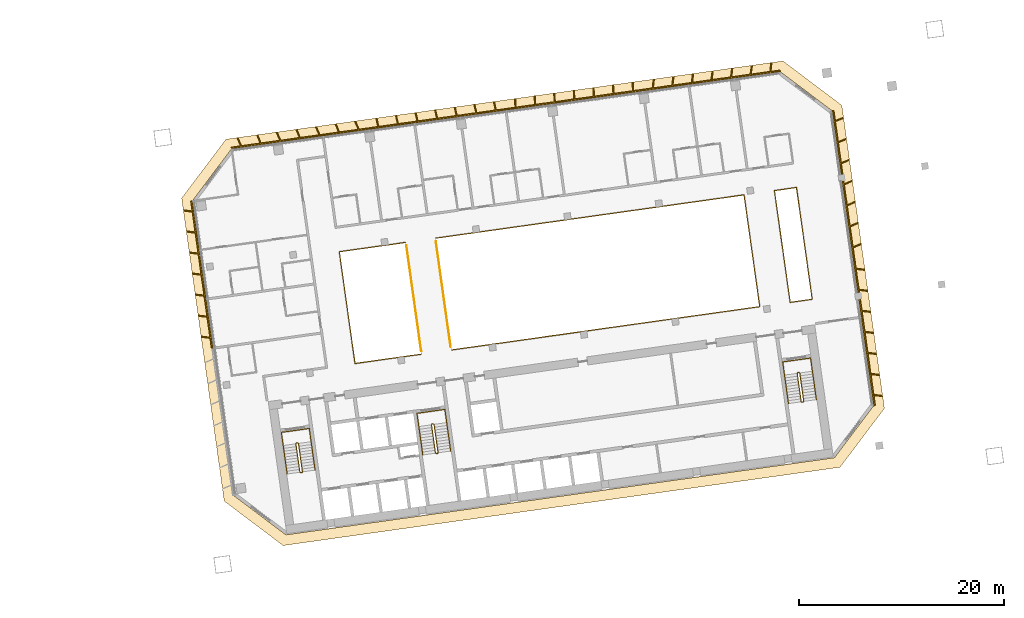
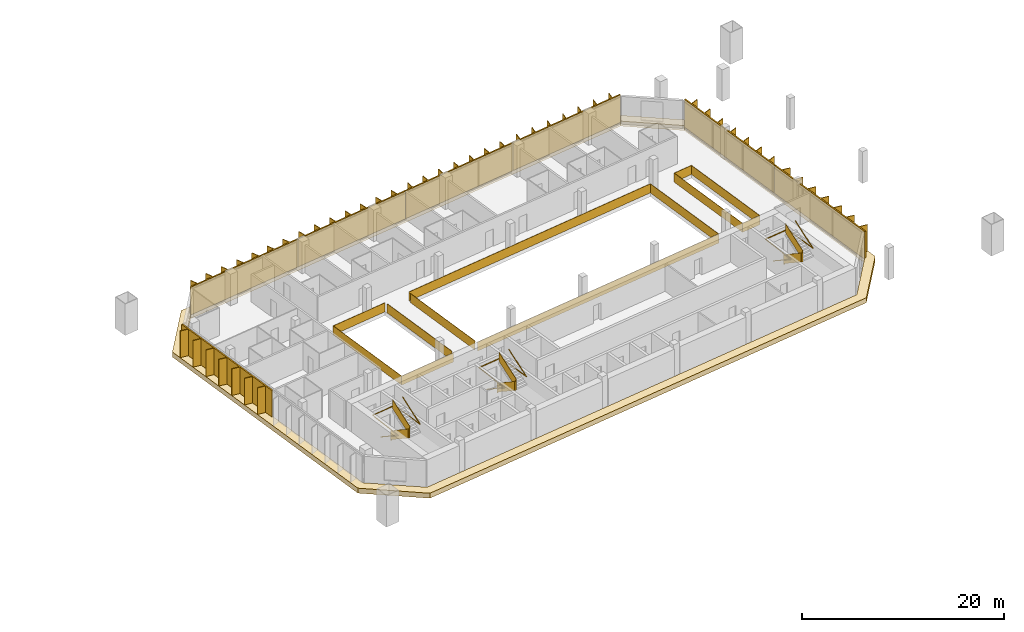
# One storey, part 26 of 26: 11 railings, 7 shading devices, 1 covering.
"""IFC4 building model written with IfcOpenShell, lengths in metres."""

import ifcopenshell
import ifcopenshell.guid

model = None  # the IFC model being written
_history = None  # IfcOwnerHistory: only IFC2X3 demands one
_inside = {}  # id of a spatial element -> (the spatial element, [elements in it])
_under = {}  # id of a project, library or spatial element -> (it, [spatial elements below it])
_declared = {}  # id of a project -> (the project, [libraries it declares])
_typed = {}  # id of a type object -> (the type object, [elements of that type])
_made_of = {}  # id of a material, layer set ... -> (it, [elements and type objects made of it])


def new_model(schema):
    """Start an empty IFC model of exactly this schema.

    Asked for "IFC4X3", IfcOpenShell would pick the latest addendum, in which some entities
    have other attributes; the version numbers below select the first issue.
    IFC2X3 requires an IfcOwnerHistory on every rooted entity: one is made here for all.
    """
    global model, _history
    if schema == "IFC4X3":
        model = ifcopenshell.file(schema_version=(4, 3, 0, 0))
    else:
        model = ifcopenshell.file(schema=schema)
    _inside.clear()
    _under.clear()
    _declared.clear()
    _typed.clear()
    _made_of.clear()
    _history = None
    if model.schema == "IFC2X3":
        org = make("IfcOrganization", Name="unknown")
        user = make(
            "IfcPersonAndOrganization",
            ThePerson=make("IfcPerson", FamilyName="unknown"),
            TheOrganization=org,
        )
        app = make(
            "IfcApplication",
            ApplicationDeveloper=org,
            Version="unknown",
            ApplicationFullName="unknown",
            ApplicationIdentifier="unknown",
        )
        _history = make(
            "IfcOwnerHistory",
            OwningUser=user,
            OwningApplication=app,
            ChangeAction="ADDED",
            CreationDate=0,
        )
    return model


def make(cls, **values):
    """One entity of the class cls with the attributes given. An attribute that is None is left unset."""
    return model.create_entity(
        cls, **{name: value for name, value in values.items() if value is not None}
    )


def rooted(cls, **values):
    """An entity with a GlobalId (a new one), such as an element, a storey or a relation."""
    return make(cls, GlobalId=ifcopenshell.guid.new(), OwnerHistory=_history, **values)


def si_unit(unit_type, name, prefix=None):
    """IfcSIUnit, for example si_unit("LENGTHUNIT", "METRE", prefix="MILLI")."""
    return make("IfcSIUnit", UnitType=unit_type, Prefix=prefix, Name=name)


def assignment(units):
    """IfcUnitAssignment: the units of a project."""
    return None if units is None else make("IfcUnitAssignment", Units=units)


def point(xyz):
    """IfcCartesianPoint."""
    return None if xyz is None else make("IfcCartesianPoint", Coordinates=xyz)


def direction(xyz):
    """IfcDirection."""
    return None if xyz is None else make("IfcDirection", DirectionRatios=xyz)


def frame(location, z_axis=None, x_axis=None):
    """IfcAxis2Placement3D, a coordinate frame: its origin and axes. An axis left out is left unset."""
    return make(
        "IfcAxis2Placement3D",
        Location=point(location),
        Axis=direction(z_axis),
        RefDirection=direction(x_axis),
    )


def frame_2d(location, x_axis=None):
    """IfcAxis2Placement2D, a coordinate frame in the plane: its origin and x axis."""
    return make(
        "IfcAxis2Placement2D", Location=point(location), RefDirection=direction(x_axis)
    )


def origin():
    """The frame at (0, 0, 0) with its axes left unset."""
    return frame((0.0, 0.0, 0.0))


def origin_2d():
    """The frame at (0, 0) in the plane with its x axis left unset."""
    return frame_2d((0.0, 0.0))


def place(relative_to, where):
    """IfcLocalPlacement: puts the frame where relative to a parent placement (None: the world)."""
    return make(
        "IfcLocalPlacement", PlacementRelTo=relative_to, RelativePlacement=where
    )


def context(
    kind, dimensions, precision=None, world=None, true_north=None, identifier=None
):
    """IfcGeometricRepresentationContext, for example the 3D "Model" context."""
    return make(
        "IfcGeometricRepresentationContext",
        ContextIdentifier=identifier,
        ContextType=kind,
        CoordinateSpaceDimension=dimensions,
        Precision=precision,
        WorldCoordinateSystem=world,
        TrueNorth=true_north,
    )


def subcontext(parent, identifier, kind, view, scale=None):
    """IfcGeometricRepresentationSubContext, for example "Body" below "Model"."""
    return make(
        "IfcGeometricRepresentationSubContext",
        ContextIdentifier=identifier,
        ContextType=kind,
        ParentContext=parent,
        TargetScale=scale,
        TargetView=view,
    )


def project(units=None, contexts=None):
    """IfcProject with its units and contexts."""
    return rooted(
        "IfcProject",
        Name="project",
        RepresentationContexts=contexts,
        UnitsInContext=assignment(units),
    )


def spatial(cls, under=None, at=None, **own):
    """A site, building, storey or space (cls), placed at a placement, below another one or the project."""
    s = rooted(cls, ObjectPlacement=at, **own)
    if under is not None:
        _under.setdefault(under.id(), (under, []))[1].append(s)
    return s


def polyline(points):
    """IfcPolyline through the points."""
    return make("IfcPolyline", Points=[point(p) for p in points])


def profile(cls, at=None, kind="AREA", **sizes):
    """A parametric profile (cls). Its sizes go by their IFC names, for example OverallWidth=200.0."""
    return make(cls, ProfileType=kind, Position=at, **sizes)


def rectangle(**sizes):
    """IfcRectangleProfileDef."""
    return profile("IfcRectangleProfileDef", **sizes)


def outline(outer, holes=None, kind="AREA"):
    """IfcArbitraryClosedProfileDef: a profile drawn as a closed curve; with holes, ...WithVoids."""
    if holes is None:
        return make("IfcArbitraryClosedProfileDef", ProfileType=kind, OuterCurve=outer)
    return make(
        "IfcArbitraryProfileDefWithVoids",
        ProfileType=kind,
        OuterCurve=outer,
        InnerCurves=holes,
    )


def extrude(swept, where, along, depth):
    """IfcExtrudedAreaSolid: the profile swept, set in the frame where, extruded along a direction by depth."""
    return make(
        "IfcExtrudedAreaSolid",
        SweptArea=swept,
        Position=where,
        ExtrudedDirection=direction(along),
        Depth=depth,
    )


def shape(context_of_items, identifier, shape_type, items):
    """IfcShapeRepresentation: the items that make up one representation, for example the "Body"."""
    return make(
        "IfcShapeRepresentation",
        ContextOfItems=context_of_items,
        RepresentationIdentifier=identifier,
        RepresentationType=shape_type,
        Items=items,
    )


def material(Name=None, Category=None):
    """IfcMaterial."""
    return make("IfcMaterial", Name=Name, Category=Category)


def layer(
    of_material, thickness, ventilated=None, Name=None, Category=None, Priority=None
):
    """IfcMaterialLayer: one layer of a wall or slab, of a material (None: an air gap)."""
    return make(
        "IfcMaterialLayer",
        Material=of_material,
        LayerThickness=thickness,
        IsVentilated=ventilated,
        Name=Name,
        Category=Category,
        Priority=Priority,
    )


def layer_set(layers, Name=None):
    """IfcMaterialLayerSet."""
    return make("IfcMaterialLayerSet", MaterialLayers=layers, LayerSetName=Name)


def made_of(thing, what):
    """Note that an element or type object is made of a material, layer set ...; save() writes the relation."""
    if what is not None:
        _made_of.setdefault(what.id(), (what, []))[1].append(thing)
    return thing


def type_object(cls, material=None, **own):
    """A type object (cls), such as IfcWallType, which elements share."""
    return made_of(rooted(cls, **own), material)


def element(
    cls,
    number,
    at=None,
    inside=None,
    cuts=None,
    type_object=None,
    material=None,
    context=None,
    identifier="Body",
    shape_type=None,
    held_by="IfcProductDefinitionShape",
    body=None,
    shapes=None,
    **own,
):
    """One element of the class cls, such as IfcWall. Its Tag is "e" and its number.

    at: its placement. inside: the storey or other place that contains it. cuts: it is an
    opening in that element (IfcRelVoidsElement). A single representation is given by context,
    identifier, shape_type and body (its items); several are given by shapes. held_by: the class
    of the entity that holds the representations. save() writes the other relations.
    """
    e = rooted(cls, Tag="e%d" % number, ObjectPlacement=at, **own)
    if body is not None:
        shapes = [shape(context, identifier, shape_type, body)]
    if shapes is not None:
        e.Representation = make(held_by, Representations=shapes)
    if inside is not None:
        _inside.setdefault(inside.id(), (inside, []))[1].append(e)
    if cuts is not None:
        rooted(
            "IfcRelVoidsElement", RelatingBuildingElement=cuts, RelatedOpeningElement=e
        )
    if type_object is not None:
        _typed.setdefault(type_object.id(), (type_object, []))[1].append(e)
    return made_of(e, material)


def aggregate(whole, parts):
    """IfcRelAggregates: a whole, such as a stair, and the parts it consists of."""
    return rooted("IfcRelAggregates", RelatingObject=whole, RelatedObjects=parts)


def save(model, path):
    """Write the relations noted so far, then the file.

    IfcRelAggregates (storeys below a building ...), IfcRelContainedInSpatialStructure (elements
    in a storey), IfcRelDefinesByType, IfcRelAssociatesMaterial and IfcRelDeclares: one each for
    every whole, place, type object, material and project.
    """
    for whole, parts in _under.values():
        aggregate(whole, parts)
    for where, things in _inside.values():
        rooted(
            "IfcRelContainedInSpatialStructure",
            RelatedElements=things,
            RelatingStructure=where,
        )
    for kind, things in _typed.values():
        rooted("IfcRelDefinesByType", RelatedObjects=things, RelatingType=kind)
    for what, things in _made_of.values():
        rooted("IfcRelAssociatesMaterial", RelatedObjects=things, RelatingMaterial=what)
    for by, libraries in _declared.values():
        rooted("IfcRelDeclares", RelatingContext=by, RelatedDefinitions=libraries)
    model.write(path)


model = new_model("IFC4")

# Units and contexts
model_context = context("Model", 3, precision=1e-05, world=origin(), true_north=direction((0.0, 1.0)))
body_context = subcontext(model_context, "Body", "Model", "MODEL_VIEW")
ifc_project = project(units=[si_unit("LENGTHUNIT", "METRE"), si_unit("AREAUNIT", "SQUARE_METRE"), si_unit("VOLUMEUNIT", "CUBIC_METRE"), si_unit("PLANEANGLEUNIT", "RADIAN"), si_unit("MASSUNIT", "GRAM", prefix="KILO")], contexts=[model_context])

# Site, building, storey
site_placement = place(None, origin())
site = spatial("IfcSite", under=ifc_project, at=site_placement, CompositionType="ELEMENT")
building_placement = place(site_placement, origin())
building = spatial("IfcBuilding", under=site, at=building_placement, Name="Mirante Cascada Hotel Towers", CompositionType="ELEMENT")
storey_placement = place(building_placement, frame((0.0, 0.0, 98.7)))
storey = spatial("IfcBuildingStorey", under=building, at=storey_placement, Name="L21", CompositionType="ELEMENT", Elevation=98.7)

# Railings
ifc_material_1 = material(Name="Toughened glass with stainless steel handrail", Category="steel")
railing_type_1 = type_object("IfcRailingType", Name="Atrium guard 1100 glass balustrade", PredefinedType="GUARDRAIL", material=ifc_material_1)
railing_1_placement = place(storey_placement, frame((48.76, 8.3112, 0.0)))
element("IfcRailing", 1, at=railing_1_placement, inside=storey, type_object=railing_type_1, Name="GUARD 2-L21-1", PredefinedType="GUARDRAIL", context=body_context, shape_type="SweptSolid", body=[
    extrude(rectangle(XDim=0.048, YDim=0.048, at=origin_2d()), frame((0.0, 0.0, 1.076), z_axis=(-0.9902694, -0.1391638, 0.0), x_axis=(0.1391638, -0.9902694, 0.0)), (0.0, 0.0, 1.0), 6.5125),
    extrude(rectangle(XDim=0.02, YDim=1.052, at=origin_2d()), frame((0.0, 0.0, 0.526), z_axis=(-0.9902694, -0.1391638, 0.0), x_axis=(0.1391638, -0.9902694, 0.0)), (0.0, 0.0, 1.0), 6.5125),
    extrude(rectangle(XDim=0.048, YDim=0.048, at=origin_2d()), frame((-6.4491, -0.9063, 1.076), z_axis=(0.1391721, -0.9902682, 0.0), x_axis=(0.9902682, 0.1391721, 0.0)), (0.0, 0.0, 1.0), 11.0001),
    extrude(rectangle(XDim=0.02, YDim=1.052, at=origin_2d()), frame((-6.4491, -0.9063, 0.526), z_axis=(0.1391721, -0.9902682, 0.0), x_axis=(0.9902682, 0.1391721, 0.0)), (0.0, 0.0, 1.0), 11.0001),
    extrude(rectangle(XDim=0.048, YDim=0.048, at=origin_2d()), frame((-4.9182, -11.7993, 1.076), z_axis=(0.9902673, 0.1391788, 0.0), x_axis=(-0.1391788, 0.9902673, 0.0)), (0.0, 0.0, 1.0), 6.5125),
    extrude(rectangle(XDim=0.02, YDim=1.052, at=origin_2d()), frame((-4.9182, -11.7993, 0.526), z_axis=(0.9902673, 0.1391788, 0.0), x_axis=(-0.1391788, 0.9902673, 0.0)), (0.0, 0.0, 1.0), 6.5125),
])
railing_2_placement = place(storey_placement, frame((53.2617, -2.1642, 0.0)))
element("IfcRailing", 2, at=railing_2_placement, inside=storey, type_object=railing_type_1, Name="GUARD 2-L21-2", PredefinedType="GUARDRAIL", context=body_context, shape_type="SweptSolid", body=[
    extrude(rectangle(XDim=0.048, YDim=0.048, at=origin_2d()), frame((0.0, 0.0, 1.076), z_axis=(0.9902682, 0.1391722, 0.0), x_axis=(-0.1391722, 0.9902682, 0.0)), (0.0, 0.0, 1.0), 30.325),
    extrude(rectangle(XDim=0.02, YDim=1.052, at=origin_2d()), frame((0.0, 0.0, 0.526), z_axis=(0.9902682, 0.1391722, 0.0), x_axis=(-0.1391722, 0.9902682, 0.0)), (0.0, 0.0, 1.0), 30.325),
    extrude(rectangle(XDim=0.048, YDim=0.048, at=origin_2d()), frame((30.0299, 4.2204, 1.076), z_axis=(-0.1391721, 0.9902682, 0.0), x_axis=(-0.9902682, -0.1391721, 0.0)), (0.0, 0.0, 1.0), 11.0001),
    extrude(rectangle(XDim=0.02, YDim=1.052, at=origin_2d()), frame((30.0299, 4.2204, 0.526), z_axis=(-0.1391721, 0.9902682, 0.0), x_axis=(-0.9902682, -0.1391721, 0.0)), (0.0, 0.0, 1.0), 11.0001),
    extrude(rectangle(XDim=0.048, YDim=0.048, at=origin_2d()), frame((28.499, 15.1134, 1.076), z_axis=(-0.9902682, -0.1391722, 0.0), x_axis=(0.1391722, -0.9902682, 0.0)), (0.0, 0.0, 1.0), 30.325),
    extrude(rectangle(XDim=0.02, YDim=1.052, at=origin_2d()), frame((28.499, 15.1134, 0.526), z_axis=(-0.9902682, -0.1391722, 0.0), x_axis=(0.1391722, -0.9902682, 0.0)), (0.0, 0.0, 1.0), 30.325),
])
railing_3_placement = place(storey_placement, frame((86.2624, 2.4738, 0.0)))
element("IfcRailing", 3, at=railing_3_placement, inside=storey, type_object=railing_type_1, Name="GUARD 2-L21-3", PredefinedType="GUARDRAIL", context=body_context, shape_type="SweptSolid", body=[
    extrude(rectangle(XDim=0.048, YDim=0.048, at=origin_2d()), frame((0.0, 0.0, 1.076), z_axis=(0.9902724, 0.1391422, 0.0), x_axis=(-0.1391422, 0.9902724, 0.0)), (0.0, 0.0, 1.0), 2.1625),
    extrude(rectangle(XDim=0.02, YDim=1.052, at=origin_2d()), frame((0.0, 0.0, 0.526), z_axis=(0.9902724, 0.1391422, 0.0), x_axis=(-0.1391422, 0.9902724, 0.0)), (0.0, 0.0, 1.0), 2.1625),
    extrude(rectangle(XDim=0.048, YDim=0.048, at=origin_2d()), frame((2.1415, 0.3009, 1.076), z_axis=(-0.1391721, 0.9902682, 0.0), x_axis=(-0.9902682, -0.1391721, 0.0)), (0.0, 0.0, 1.0), 11.0001),
    extrude(rectangle(XDim=0.02, YDim=1.052, at=origin_2d()), frame((2.1415, 0.3009, 0.526), z_axis=(-0.1391721, 0.9902682, 0.0), x_axis=(-0.9902682, -0.1391721, 0.0)), (0.0, 0.0, 1.0), 11.0001),
    extrude(rectangle(XDim=0.048, YDim=0.048, at=origin_2d()), frame((0.6106, 11.1939, 1.076), z_axis=(-0.990266, -0.1391875, 0.0), x_axis=(0.1391875, -0.990266, 0.0)), (0.0, 0.0, 1.0), 2.1626),
    extrude(rectangle(XDim=0.02, YDim=1.052, at=origin_2d()), frame((0.6106, 11.1939, 0.526), z_axis=(-0.990266, -0.1391875, 0.0), x_axis=(0.1391875, -0.990266, 0.0)), (0.0, 0.0, 1.0), 2.1626),
    extrude(rectangle(XDim=0.048, YDim=0.048, at=origin_2d()), frame((-1.5309, 10.8929, 1.076), z_axis=(0.1391733, -0.990268, 0.0), x_axis=(0.990268, 0.1391733, 0.0)), (0.0, 0.0, 1.0), 11.0),
    extrude(rectangle(XDim=0.02, YDim=1.052, at=origin_2d()), frame((-1.5309, 10.8929, 0.526), z_axis=(0.1391733, -0.990268, 0.0), x_axis=(0.990268, 0.1391733, 0.0)), (0.0, 0.0, 1.0), 11.0),
])
railing_4_placement = place(storey_placement, frame((50.2983, -2.2822, 0.0)))
element("IfcRailing", 4, at=railing_4_placement, inside=storey, type_object=railing_type_1, Name="GUARD 2-L21-4", PredefinedType="GUARDRAIL", context=body_context, shape_type="SweptSolid", body=[
    extrude(rectangle(XDim=0.048, YDim=0.048, at=origin_2d()), frame((0.0, 0.0, 1.076), z_axis=(-0.1391708, 0.9902684, 0.0), x_axis=(-0.9902684, -0.1391708, 0.0)), (0.0, 0.0, 1.0), 10.4088),
    extrude(rectangle(XDim=0.02, YDim=1.052, at=origin_2d()), frame((0.0, 0.0, 0.526), z_axis=(-0.1391708, 0.9902684, 0.0), x_axis=(-0.9902684, -0.1391708, 0.0)), (0.0, 0.0, 1.0), 10.4088),
])
railing_5_placement = place(storey_placement, frame((51.7234, 8.4292, 0.0)))
element("IfcRailing", 5, at=railing_5_placement, inside=storey, type_object=railing_type_1, Name="GUARD 2-L21-5", PredefinedType="GUARDRAIL", context=body_context, shape_type="SweptSolid", body=[
    extrude(rectangle(XDim=0.048, YDim=0.048, at=origin_2d()), frame((0.0, 0.0, 1.076), z_axis=(0.1391721, -0.9902682, 0.0), x_axis=(0.9902682, 0.1391721, 0.0)), (0.0, 0.0, 1.0), 10.4087),
    extrude(rectangle(XDim=0.02, YDim=1.052, at=origin_2d()), frame((0.0, 0.0, 0.526), z_axis=(0.1391721, -0.9902682, 0.0), x_axis=(0.9902682, 0.1391721, 0.0)), (0.0, 0.0, 1.0), 10.4087),
])

# Covering
ifc_material_2 = material(Name="Precast concrete C40/50 white", Category="concrete")
ifc_layer = layer(ifc_material_2, 0.6)
ifc_layer_set = layer_set([ifc_layer], Name="Precast concrete SUNSHADE band 1000x600")
covering_type = type_object("IfcCoveringType", Name="Precast concrete SUNSHADE band 1000x600", PredefinedType="CLADDING", material=ifc_layer_set)
covering_placement = place(storey_placement, frame((0.0, 0.0, -0.45)))
element("IfcCovering", 6, at=covering_placement, inside=storey, type_object=covering_type, Name="Precast concrete SUNSHADE band T2 L21", PredefinedType="CLADDING", context=body_context, shape_type="SweptSolid", body=[
    extrude(outline(polyline([(26.9341, 12.6299), (31.2626, 18.374), (85.5574, 26.0046), (91.3015, 21.6761), (95.4528, -7.862), (91.1243, -13.6061), (36.8295, -21.2367), (31.0854, -16.9082), (26.9341, 12.6299)]), holes=[polyline([(94.4049, -7.591), (90.3689, 21.1268), (85.2864, 24.9567), (31.8119, 17.4414), (27.982, 12.3589), (32.018, -16.3589), (37.1005, -20.1888), (90.575, -12.6735), (94.4049, -7.591)])]), origin(), (0.0, 0.0, 1.0), 0.6),
])

# Railings
ifc_material_3 = material(Name="Painted steel", Category="steel")
railing_type_2 = type_object("IfcRailingType", Name="Stair guard 1100 steel balustrade", PredefinedType="GUARDRAIL", material=ifc_material_3)
railing_6_placement = place(storey_placement, frame((38.2663, -11.2395, 0.0)))
element("IfcRailing", 7, at=railing_6_placement, inside=storey, type_object=railing_type_2, Name="L21 ST2-A stair guard 1", PredefinedType="GUARDRAIL", context=body_context, shape_type="SweptSolid", body=[
    extrude(rectangle(XDim=0.048, YDim=0.048, at=origin_2d()), frame((0.0, 0.0, 1.076), z_axis=(-0.9903326, -0.1387133, 0.0), x_axis=(0.1387133, -0.9903326, 0.0)), (0.0, 0.0, 1.0), 0.1499),
    extrude(rectangle(XDim=0.02, YDim=1.052, at=origin_2d()), frame((0.0, 0.0, 0.526), z_axis=(-0.9903326, -0.1387133, 0.0), x_axis=(0.1387133, -0.9903326, 0.0)), (0.0, 0.0, 1.0), 0.1499),
    extrude(rectangle(XDim=0.048, YDim=0.048, at=origin_2d()), frame((-0.1485, -0.0208, 1.076), z_axis=(-0.6020331, -0.7984711, 0.0), x_axis=(0.7984711, -0.6020331, 0.0)), (0.0, 0.9253398, 0.3791387), 0.1866),
    extrude(rectangle(XDim=0.02, YDim=1.052, at=origin_2d()), frame((-0.1485, -0.0208, 0.526), z_axis=(-0.6020331, -0.7984711, 0.0), x_axis=(0.7984711, -0.6020331, 0.0)), (0.0, 0.9253398, 0.3791387), 0.1866),
    extrude(rectangle(XDim=0.048, YDim=0.048, at=origin_2d()), frame((-0.1911, -0.0773, 1.2487), z_axis=(0.139176, -0.9902677, 0.0), x_axis=(0.9902677, 0.139176, 0.0)), (0.0, 0.5250212, 0.8510891), 3.29),
    extrude(rectangle(XDim=0.02, YDim=1.052, at=origin_2d()), frame((-0.1911, -0.0773, 0.6987), z_axis=(0.139176, -0.9902677, 0.0), x_axis=(0.9902677, 0.139176, 0.0)), (0.0, 0.5250212, 0.8510891), 3.29),
    extrude(rectangle(XDim=0.048, YDim=0.048, at=origin_2d()), frame((0.1986, -2.8501, 2.976), z_axis=(0.9944948, -0.1047858, 0.0), x_axis=(0.1047858, 0.9944948, 0.0)), (0.0, 0.0, 1.0), 0.2061),
    extrude(rectangle(XDim=0.02, YDim=1.052, at=origin_2d()), frame((0.1986, -2.8501, 2.426), z_axis=(0.9944948, -0.1047858, 0.0), x_axis=(0.1047858, 0.9944948, 0.0)), (0.0, 0.0, 1.0), 0.2061),
    extrude(rectangle(XDim=0.048, YDim=0.048, at=origin_2d()), frame((0.4036, -2.8717, 2.976), z_axis=(-0.9902408, -0.1393672, 0.0), x_axis=(0.1393672, -0.9902408, 0.0)), (0.0, 0.0, 1.0), 0.15),
    extrude(rectangle(XDim=0.02, YDim=1.052, at=origin_2d()), frame((0.4036, -2.8717, 2.426), z_axis=(-0.9902408, -0.1393672, 0.0), x_axis=(0.1393672, -0.9902408, 0.0)), (0.0, 0.0, 1.0), 0.15),
    extrude(rectangle(XDim=0.048, YDim=0.048, at=origin_2d()), frame((0.2551, -2.8926, 2.976), z_axis=(0.9270311, 0.3749843, 0.0), x_axis=(-0.3749843, 0.9270311, 0.0)), (0.0, 0.6421903, 0.7665452), 0.2689),
    extrude(rectangle(XDim=0.02, YDim=1.052, at=origin_2d()), frame((0.2551, -2.8926, 2.426), z_axis=(0.9270311, 0.3749843, 0.0), x_axis=(-0.3749843, 0.9270311, 0.0)), (0.0, 0.6421903, 0.7665452), 0.2689),
    extrude(rectangle(XDim=0.048, YDim=0.048, at=origin_2d()), frame((0.4462, -2.8153, 3.1487), z_axis=(-0.139176, 0.9902677, 0.0), x_axis=(-0.9902677, -0.139176, 0.0)), (0.0, 0.5250212, 0.8510891), 3.29),
    extrude(rectangle(XDim=0.02, YDim=1.052, at=origin_2d()), frame((0.4462, -2.8153, 2.5987), z_axis=(-0.139176, 0.9902677, 0.0), x_axis=(-0.9902677, -0.139176, 0.0)), (0.0, 0.5250212, 0.8510891), 3.29),
])
railing_7_placement = place(storey_placement, frame((51.4864, -9.3815, 0.0)))
element("IfcRailing", 8, at=railing_7_placement, inside=storey, type_object=railing_type_2, Name="L21 ST2-B stair guard 1", PredefinedType="GUARDRAIL", context=body_context, shape_type="SweptSolid", body=[
    extrude(rectangle(XDim=0.048, YDim=0.048, at=origin_2d()), frame((0.0, 0.0, 1.076), z_axis=(-0.9902408, -0.1393672, 0.0), x_axis=(0.1393672, -0.9902408, 0.0)), (0.0, 0.0, 1.0), 0.15),
    extrude(rectangle(XDim=0.02, YDim=1.052, at=origin_2d()), frame((0.0, 0.0, 0.526), z_axis=(-0.9902408, -0.1393672, 0.0), x_axis=(0.1393672, -0.9902408, 0.0)), (0.0, 0.0, 1.0), 0.15),
    extrude(rectangle(XDim=0.048, YDim=0.048, at=origin_2d()), frame((-0.1485, -0.0209, 1.076), z_axis=(-0.6020331, -0.7984711, 0.0), x_axis=(0.7984711, -0.6020331, 0.0)), (0.0, 0.9253398, 0.3791387), 0.1866),
    extrude(rectangle(XDim=0.02, YDim=1.052, at=origin_2d()), frame((-0.1485, -0.0209, 0.526), z_axis=(-0.6020331, -0.7984711, 0.0), x_axis=(0.7984711, -0.6020331, 0.0)), (0.0, 0.9253398, 0.3791387), 0.1866),
    extrude(rectangle(XDim=0.048, YDim=0.048, at=origin_2d()), frame((-0.1911, -0.0774, 1.2487), z_axis=(0.139181, -0.990267, 0.0), x_axis=(0.990267, 0.139181, 0.0)), (0.0, 0.5250347, 0.8510808), 3.2899),
    extrude(rectangle(XDim=0.02, YDim=1.052, at=origin_2d()), frame((-0.1911, -0.0774, 0.6987), z_axis=(0.139181, -0.990267, 0.0), x_axis=(0.990267, 0.139181, 0.0)), (0.0, 0.5250347, 0.8510808), 3.2899),
    extrude(rectangle(XDim=0.048, YDim=0.048, at=origin_2d()), frame((0.1986, -2.8501, 2.976), z_axis=(0.9944441, -0.1052656, 0.0), x_axis=(0.1052656, 0.9944441, 0.0)), (0.0, 0.0, 1.0), 0.2061),
    extrude(rectangle(XDim=0.02, YDim=1.052, at=origin_2d()), frame((0.1986, -2.8501, 2.426), z_axis=(0.9944441, -0.1052656, 0.0), x_axis=(0.1052656, 0.9944441, 0.0)), (0.0, 0.0, 1.0), 0.2061),
    extrude(rectangle(XDim=0.048, YDim=0.048, at=origin_2d()), frame((0.4036, -2.8718, 2.976), z_axis=(-0.9902408, -0.1393672, 0.0), x_axis=(0.1393672, -0.9902408, 0.0)), (0.0, 0.0, 1.0), 0.15),
    extrude(rectangle(XDim=0.02, YDim=1.052, at=origin_2d()), frame((0.4036, -2.8718, 2.426), z_axis=(-0.9902408, -0.1393672, 0.0), x_axis=(0.1393672, -0.9902408, 0.0)), (0.0, 0.0, 1.0), 0.15),
    extrude(rectangle(XDim=0.048, YDim=0.048, at=origin_2d()), frame((0.2551, -2.8927, 2.976), z_axis=(0.9268624, 0.3754011, 0.0), x_axis=(-0.3754011, 0.9268624, 0.0)), (0.0, 0.6421217, 0.7666028), 0.269),
    extrude(rectangle(XDim=0.02, YDim=1.052, at=origin_2d()), frame((0.2551, -2.8927, 2.426), z_axis=(0.9268624, 0.3754011, 0.0), x_axis=(-0.3754011, 0.9268624, 0.0)), (0.0, 0.6421217, 0.7666028), 0.269),
    extrude(rectangle(XDim=0.048, YDim=0.048, at=origin_2d()), frame((0.4462, -2.8153, 3.1487), z_axis=(-0.139181, 0.990267, 0.0), x_axis=(-0.990267, -0.139181, 0.0)), (0.0, 0.5250347, 0.8510808), 3.2899),
    extrude(rectangle(XDim=0.02, YDim=1.052, at=origin_2d()), frame((0.4462, -2.8153, 2.5987), z_axis=(-0.139181, 0.990267, 0.0), x_axis=(-0.990267, -0.139181, 0.0)), (0.0, 0.5250347, 0.8510808), 3.2899),
])
railing_8_placement = place(storey_placement, frame((87.1361, -4.3713, 0.0)))
element("IfcRailing", 9, at=railing_8_placement, inside=storey, type_object=railing_type_2, Name="L21 ST2-C stair guard 1", PredefinedType="GUARDRAIL", context=body_context, shape_type="SweptSolid", body=[
    extrude(rectangle(XDim=0.048, YDim=0.048, at=origin_2d()), frame((0.0, 0.0, 1.076), z_axis=(-0.9902537, -0.1392753, 0.0), x_axis=(0.1392753, -0.9902537, 0.0)), (0.0, 0.0, 1.0), 0.1501),
    extrude(rectangle(XDim=0.02, YDim=1.052, at=origin_2d()), frame((0.0, 0.0, 0.526), z_axis=(-0.9902537, -0.1392753, 0.0), x_axis=(0.1392753, -0.9902537, 0.0)), (0.0, 0.0, 1.0), 0.1501),
    extrude(rectangle(XDim=0.048, YDim=0.048, at=origin_2d()), frame((-0.1486, -0.0209, 1.076), z_axis=(-0.601811, -0.7986386, 0.0), x_axis=(0.7986386, -0.601811, 0.0)), (0.0, 0.925603, 0.3784959), 0.1866),
    extrude(rectangle(XDim=0.02, YDim=1.052, at=origin_2d()), frame((-0.1486, -0.0209, 0.526), z_axis=(-0.601811, -0.7986386, 0.0), x_axis=(0.7986386, -0.601811, 0.0)), (0.0, 0.925603, 0.3784959), 0.1866),
    extrude(rectangle(XDim=0.048, YDim=0.048, at=origin_2d()), frame((-0.1911, -0.0773, 1.2487), z_axis=(0.139176, -0.9902677, 0.0), x_axis=(0.9902677, 0.139176, 0.0)), (0.0, 0.5250212, 0.8510891), 3.29),
    extrude(rectangle(XDim=0.02, YDim=1.052, at=origin_2d()), frame((-0.1911, -0.0773, 0.6987), z_axis=(0.139176, -0.9902677, 0.0), x_axis=(0.9902677, 0.139176, 0.0)), (0.0, 0.5250212, 0.8510891), 3.29),
    extrude(rectangle(XDim=0.048, YDim=0.048, at=origin_2d()), frame((0.1986, -2.8501, 2.976), z_axis=(0.9944441, -0.1052656, 0.0), x_axis=(0.1052656, 0.9944441, 0.0)), (0.0, 0.0, 1.0), 0.2061),
    extrude(rectangle(XDim=0.02, YDim=1.052, at=origin_2d()), frame((0.1986, -2.8501, 2.426), z_axis=(0.9944441, -0.1052656, 0.0), x_axis=(0.1052656, 0.9944441, 0.0)), (0.0, 0.0, 1.0), 0.2061),
    extrude(rectangle(XDim=0.048, YDim=0.048, at=origin_2d()), frame((0.4036, -2.8718, 2.976), z_axis=(-0.9903454, -0.1386217, 0.0), x_axis=(0.1386217, -0.9903454, 0.0)), (0.0, 0.0, 1.0), 0.15),
    extrude(rectangle(XDim=0.02, YDim=1.052, at=origin_2d()), frame((0.4036, -2.8718, 2.426), z_axis=(-0.9903454, -0.1386217, 0.0), x_axis=(0.1386217, -0.9903454, 0.0)), (0.0, 0.0, 1.0), 0.15),
    extrude(rectangle(XDim=0.048, YDim=0.048, at=origin_2d()), frame((0.255, -2.8926, 2.976), z_axis=(0.9270311, 0.3749843, 0.0), x_axis=(-0.3749843, 0.9270311, 0.0)), (0.0, 0.6421903, 0.7665452), 0.2689),
    extrude(rectangle(XDim=0.02, YDim=1.052, at=origin_2d()), frame((0.255, -2.8926, 2.426), z_axis=(0.9270311, 0.3749843, 0.0), x_axis=(-0.3749843, 0.9270311, 0.0)), (0.0, 0.6421903, 0.7665452), 0.2689),
    extrude(rectangle(XDim=0.048, YDim=0.048, at=origin_2d()), frame((0.4461, -2.8153, 3.1487), z_axis=(-0.139176, 0.9902677, 0.0), x_axis=(-0.9902677, -0.139176, 0.0)), (0.0, 0.5250212, 0.8510891), 3.29),
    extrude(rectangle(XDim=0.02, YDim=1.052, at=origin_2d()), frame((0.4461, -2.8153, 2.5987), z_axis=(-0.139176, 0.9902677, 0.0), x_axis=(-0.9902677, -0.139176, 0.0)), (0.0, 0.5250212, 0.8510891), 3.29),
])
ifc_material_4 = material(Name="Painted steel", Category="steel")
railing_type_3 = type_object("IfcRailingType", Name="Stair handrail 900 steel tube", PredefinedType="HANDRAIL", material=ifc_material_4)
railing_9_placement = place(storey_placement, frame((36.8374, -11.4908, 0.1727)))
element("IfcRailing", 10, at=railing_9_placement, inside=storey, type_object=railing_type_3, Name="L21 ST2-A stair handrail 1", PredefinedType="HANDRAIL", context=body_context, shape_type="SweptSolid", body=[
    extrude(rectangle(XDim=0.048, YDim=0.048, at=origin_2d()), frame((0.0, 0.0, 0.876), z_axis=(0.139181, -0.990267, 0.0), x_axis=(0.990267, 0.139181, 0.0)), (0.0, 0.5250347, 0.8510808), 3.2899),
    extrude(rectangle(XDim=0.048, YDim=0.048, at=origin_2d()), frame((0.3897, -2.7727, 2.6033), z_axis=(-0.1391707, 0.9902684, 0.0), x_axis=(-0.9902684, -0.1391707, 0.0)), (0.0, 0.0420846, 0.999114), 4.1036),
    extrude(rectangle(XDim=0.048, YDim=0.048, at=origin_2d()), frame((-0.1809, 1.2874, 2.776), z_axis=(0.9902691, 0.1391657, 0.0), x_axis=(-0.1391657, 0.9902691, 0.0)), (0.0, 0.0, 1.0), 2.75),
    extrude(rectangle(XDim=0.048, YDim=0.048, at=origin_2d()), frame((2.5423, 1.6701, 2.776), z_axis=(0.1391707, -0.9902684, 0.0), x_axis=(0.9902684, 0.1391707, 0.0)), (0.0, 0.0, 1.0), 4.1),
    extrude(rectangle(XDim=0.048, YDim=0.048, at=origin_2d()), frame((3.1129, -2.39, 2.776), z_axis=(-0.139181, 0.990267, 0.0), x_axis=(-0.990267, -0.139181, 0.0)), (0.0, 0.5250347, 0.8510808), 3.2899),
])
railing_10_placement = place(storey_placement, frame((50.0575, -9.6328, 0.1727)))
element("IfcRailing", 11, at=railing_10_placement, inside=storey, type_object=railing_type_3, Name="L21 ST2-B stair handrail 1", PredefinedType="HANDRAIL", context=body_context, shape_type="SweptSolid", body=[
    extrude(rectangle(XDim=0.048, YDim=0.048, at=origin_2d()), frame((0.0, 0.0, 0.876), z_axis=(0.139176, -0.9902677, 0.0), x_axis=(0.9902677, 0.139176, 0.0)), (0.0, 0.5250212, 0.8510891), 3.29),
    extrude(rectangle(XDim=0.048, YDim=0.048, at=origin_2d()), frame((0.3897, -2.7728, 2.6033), z_axis=(-0.1391707, 0.9902684, 0.0), x_axis=(-0.9902684, -0.1391707, 0.0)), (0.0, 0.0420846, 0.999114), 4.1036),
    extrude(rectangle(XDim=0.048, YDim=0.048, at=origin_2d()), frame((-0.1809, 1.2873, 2.776), z_axis=(0.9902641, 0.1392013, 0.0), x_axis=(-0.1392013, 0.9902641, 0.0)), (0.0, 0.0, 1.0), 2.75),
    extrude(rectangle(XDim=0.048, YDim=0.048, at=origin_2d()), frame((2.5423, 1.6701, 2.776), z_axis=(0.1391707, -0.9902684, 0.0), x_axis=(0.9902684, 0.1391707, 0.0)), (0.0, 0.0, 1.0), 4.1),
    extrude(rectangle(XDim=0.048, YDim=0.048, at=origin_2d()), frame((3.1129, -2.39, 2.776), z_axis=(-0.139181, 0.990267, 0.0), x_axis=(-0.990267, -0.139181, 0.0)), (0.0, 0.5250347, 0.8510808), 3.2899),
])
railing_11_placement = place(storey_placement, frame((85.7071, -4.6226, 0.1727)))
element("IfcRailing", 12, at=railing_11_placement, inside=storey, type_object=railing_type_3, Name="L21 ST2-C stair handrail 1", PredefinedType="HANDRAIL", context=body_context, shape_type="SweptSolid", body=[
    extrude(rectangle(XDim=0.048, YDim=0.048, at=origin_2d()), frame((0.0, 0.0, 0.876), z_axis=(0.139181, -0.990267, 0.0), x_axis=(0.990267, 0.139181, 0.0)), (0.0, 0.5250347, 0.8510808), 3.2899),
    extrude(rectangle(XDim=0.048, YDim=0.048, at=origin_2d()), frame((0.3897, -2.7727, 2.6033), z_axis=(-0.1391707, 0.9902684, 0.0), x_axis=(-0.9902684, -0.1391707, 0.0)), (0.0, 0.0420846, 0.999114), 4.1036),
    extrude(rectangle(XDim=0.048, YDim=0.048, at=origin_2d()), frame((-0.1809, 1.2874, 2.776), z_axis=(0.9902691, 0.1391657, 0.0), x_axis=(-0.1391657, 0.9902691, 0.0)), (0.0, 0.0, 1.0), 2.75),
    extrude(rectangle(XDim=0.048, YDim=0.048, at=origin_2d()), frame((2.5423, 1.6701, 2.776), z_axis=(0.1391947, -0.990265, 0.0), x_axis=(0.990265, 0.1391947, 0.0)), (0.0, 0.0, 1.0), 4.1),
    extrude(rectangle(XDim=0.048, YDim=0.048, at=origin_2d()), frame((3.113, -2.39, 2.776), z_axis=(-0.139181, 0.990267, 0.0), x_axis=(-0.990267, -0.139181, 0.0)), (0.0, 0.5250347, 0.8510808), 3.2899),
])

# Shading devices
ifc_material_5 = material(Name="White precast concrete C50/60 fin", Category="concrete")
shading_device_type = type_object("IfcShadingDeviceType", Name="Vertical fin set 4500x900", PredefinedType="USERDEFINED", material=ifc_material_5)
shading_device_1_placement = place(storey_placement, origin())
element("IfcShadingDevice", 13, at=shading_device_1_placement, inside=storey, type_object=shading_device_type, Name="FIN T2 L21 front 1", ObjectType="FIN", PredefinedType="USERDEFINED", context=body_context, shape_type="SweptSolid", body=[
    extrude(outline(polyline([(73.0081, 24.1995), (72.9061, 23.3683), (74.7339, 23.6251), (74.8385, 24.4777), (74.9179, 24.4679), (74.8159, 23.6367), (76.6437, 23.8935), (76.7483, 24.7461), (76.8277, 24.7363), (76.7257, 23.9051), (78.5535, 24.1619), (78.6581, 25.0145), (78.7376, 25.0047), (78.6355, 24.1735), (80.4633, 24.4303), (80.5679, 25.2829), (80.6474, 25.2732), (80.5453, 24.4419), (82.3731, 24.6988), (82.4778, 25.5513), (82.5572, 25.5416), (82.4551, 24.7103), (84.2829, 24.9672), (84.3876, 25.8197), (84.467, 25.81), (84.3649, 24.9787), (85.2655, 25.1053), (85.2864, 24.9567), (71.9178, 23.0779), (71.8969, 23.2264), (72.8241, 23.3567), (72.9287, 24.2093), (73.0081, 24.1995)])), origin(), (0.0, 0.0, 1.0), 3.35),
])
shading_device_2_placement = place(storey_placement, origin())
element("IfcShadingDevice", 14, at=shading_device_2_placement, inside=storey, type_object=shading_device_type, Name="FIN T2 L21 front 2", ObjectType="FIN", PredefinedType="USERDEFINED", context=body_context, shape_type="SweptSolid", body=[
    extrude(outline(polyline([(59.483, 22.3331), (59.5273, 21.488), (61.3576, 21.7452), (61.3129, 22.5974), (61.3928, 22.6015), (61.4371, 21.7564), (63.2674, 22.0136), (63.2227, 22.8658), (63.3026, 22.8699), (63.3469, 22.0248), (65.1772, 22.282), (65.1325, 23.1342), (65.2124, 23.1384), (65.2567, 22.2932), (67.087, 22.5504), (67.0423, 23.4026), (67.1222, 23.4068), (67.1665, 22.5616), (68.9968, 22.8188), (68.9521, 23.671), (69.032, 23.6752), (69.0763, 22.83), (70.9066, 23.0872), (70.8619, 23.9394), (70.9418, 23.9436), (70.9861, 23.0984), (71.8969, 23.2264), (71.9178, 23.0779), (58.5492, 21.199), (58.5283, 21.3476), (59.4478, 21.4768), (59.4031, 22.3289), (59.483, 22.3331)])), origin(), (0.0, 0.0, 1.0), 3.35),
])
shading_device_3_placement = place(storey_placement, origin())
element("IfcShadingDevice", 15, at=shading_device_3_placement, inside=storey, type_object=shading_device_type, Name="FIN T2 L21 front 3", ObjectType="FIN", PredefinedType="USERDEFINED", context=body_context, shape_type="SweptSolid", body=[
    extrude(outline(polyline([(45.958, 20.4394), (46.15, 19.6079), (47.9803, 19.8652), (47.7899, 20.6898), (47.8678, 20.7078), (48.0598, 19.8763), (49.8901, 20.1336), (49.6997, 20.9582), (49.7776, 20.9762), (49.9696, 20.1447), (51.7999, 20.402), (51.6095, 21.2266), (51.6874, 21.2446), (51.8794, 20.4131), (53.7097, 20.6704), (53.5193, 21.495), (53.5973, 21.513), (53.7892, 20.6816), (55.6195, 20.9388), (55.4291, 21.7634), (55.5071, 21.7814), (55.699, 20.95), (57.5293, 21.2072), (57.3389, 22.0318), (57.4169, 22.0498), (57.6088, 21.2184), (58.5283, 21.3476), (58.5492, 21.199), (45.1805, 19.3202), (45.1597, 19.4687), (46.0705, 19.5968), (45.8801, 20.4214), (45.958, 20.4394)])), origin(), (0.0, 0.0, 1.0), 3.35),
])
shading_device_4_placement = place(storey_placement, origin())
element("IfcShadingDevice", 16, at=shading_device_4_placement, inside=storey, type_object=shading_device_type, Name="FIN T2 L21 front 4", ObjectType="FIN", PredefinedType="USERDEFINED", context=body_context, shape_type="SweptSolid", body=[
    extrude(outline(polyline([(32.4381, 18.5187), (32.7737, 17.728), (34.6015, 17.9849), (34.2742, 18.7558), (34.3479, 18.7871), (34.6835, 17.9964), (36.5113, 18.2533), (36.184, 19.0242), (36.2577, 19.0555), (36.5933, 18.2648), (38.4211, 18.5217), (38.0938, 19.2926), (38.1675, 19.3239), (38.5031, 18.5332), (40.3309, 18.7901), (40.0036, 19.561), (40.0773, 19.5923), (40.4129, 18.8016), (42.2407, 19.0585), (41.9134, 19.8295), (41.9871, 19.8607), (42.3227, 19.07), (44.1505, 19.3269), (43.8232, 20.0979), (43.8969, 20.1291), (44.2325, 19.3384), (45.1597, 19.4687), (45.1805, 19.3202), (31.8119, 17.4414), (31.791, 17.5899), (32.6917, 17.7165), (32.3644, 18.4874), (32.4381, 18.5187)])), origin(), (0.0, 0.0, 1.0), 3.35),
])
shading_device_5_placement = place(storey_placement, origin())
element("IfcShadingDevice", 17, at=shading_device_5_placement, inside=storey, type_object=shading_device_type, Name="FIN T2 L21 inner 1", ObjectType="FIN", PredefinedType="USERDEFINED", context=body_context, shape_type="SweptSolid", body=[
    extrude(outline(polyline([(28.8684, -0.8389), (29.6997, -0.941), (29.4229, 1.0283), (28.5704, 1.133), (28.5801, 1.2124), (29.4114, 1.1103), (29.1346, 3.0796), (28.2821, 3.1842), (28.2918, 3.2636), (29.1231, 3.1616), (28.8464, 5.1308), (27.9938, 5.2355), (28.0036, 5.3149), (28.8348, 5.2128), (28.5581, 7.1821), (27.7055, 7.2868), (27.7153, 7.3662), (28.5465, 7.2641), (28.2698, 9.2334), (27.4172, 9.338), (27.427, 9.4174), (28.2583, 9.3154), (27.9815, 11.2846), (27.1289, 11.3893), (27.1387, 11.4687), (27.97, 11.3667), (27.8334, 12.338), (27.982, 12.3589), (30.0, -2.0), (29.8515, -2.0209), (29.7112, -1.023), (28.8587, -0.9183), (28.8684, -0.8389)])), origin(), (0.0, 0.0, 1.0), 3.35),
])
shading_device_6_placement = place(storey_placement, origin())
element("IfcShadingDevice", 18, at=shading_device_6_placement, inside=storey, type_object=shading_device_type, Name="FIN T2 L21 outer 1", ObjectType="FIN", PredefinedType="USERDEFINED", context=body_context, shape_type="SweptSolid", body=[
    extrude(outline(polyline([(95.2482, -6.7008), (94.4169, -6.5987), (94.5534, -7.5701), (94.4049, -7.591), (92.3869, 6.7679), (92.5354, 6.7888), (92.6757, 5.7909), (93.5282, 5.6862), (93.5185, 5.6068), (92.6872, 5.7089), (92.964, 3.7396), (93.8165, 3.6349), (93.8068, 3.5555), (92.9755, 3.6576), (93.2522, 1.6883), (94.1048, 1.5837), (94.095, 1.5043), (93.2638, 1.6063), (93.5405, -0.3629), (94.3931, -0.4676), (94.3833, -0.547), (93.5521, -0.4449), (93.8288, -2.4142), (94.6814, -2.5189), (94.6716, -2.5983), (93.8403, -2.4962), (94.1171, -4.4655), (94.9697, -4.5701), (94.9599, -4.6495), (94.1286, -4.5475), (94.4054, -6.5167), (95.2579, -6.6214), (95.2482, -6.7008)])), origin(), (0.0, 0.0, 1.0), 3.35),
])
shading_device_7_placement = place(storey_placement, origin())
element("IfcShadingDevice", 19, at=shading_device_7_placement, inside=storey, type_object=shading_device_type, Name="FIN T2 L21 outer 2", ObjectType="FIN", PredefinedType="USERDEFINED", context=body_context, shape_type="SweptSolid", body=[
    extrude(outline(polyline([(93.1859, 8.1223), (92.3952, 7.7867), (92.5354, 6.7888), (92.3869, 6.7679), (90.3689, 21.1268), (90.5174, 21.1477), (90.6539, 20.1763), (91.4249, 20.5036), (91.4561, 20.4299), (90.6655, 20.0943), (90.9422, 18.125), (91.7132, 18.4523), (91.7444, 18.3786), (90.9537, 18.043), (91.2305, 16.0738), (92.0014, 16.401), (92.0327, 16.3274), (91.242, 15.9918), (91.5188, 14.0225), (92.2897, 14.3497), (92.321, 14.2761), (91.5303, 13.9405), (91.8071, 11.9712), (92.578, 12.2985), (92.6093, 12.2248), (91.8186, 11.8892), (92.0954, 9.92), (92.8663, 10.2472), (92.8976, 10.1736), (92.1069, 9.8379), (92.3837, 7.8687), (93.1546, 8.1959), (93.1859, 8.1223)])), origin(), (0.0, 0.0, 1.0), 3.35),
])

save(model, "model.ifc")
